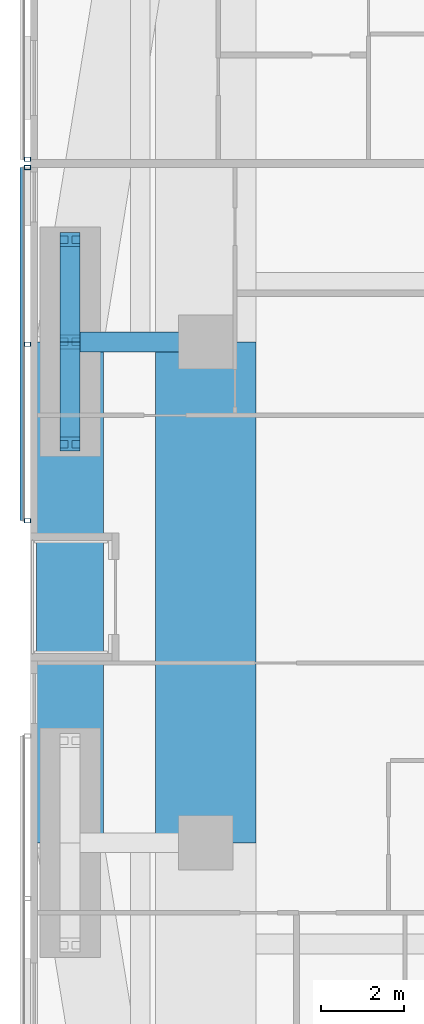
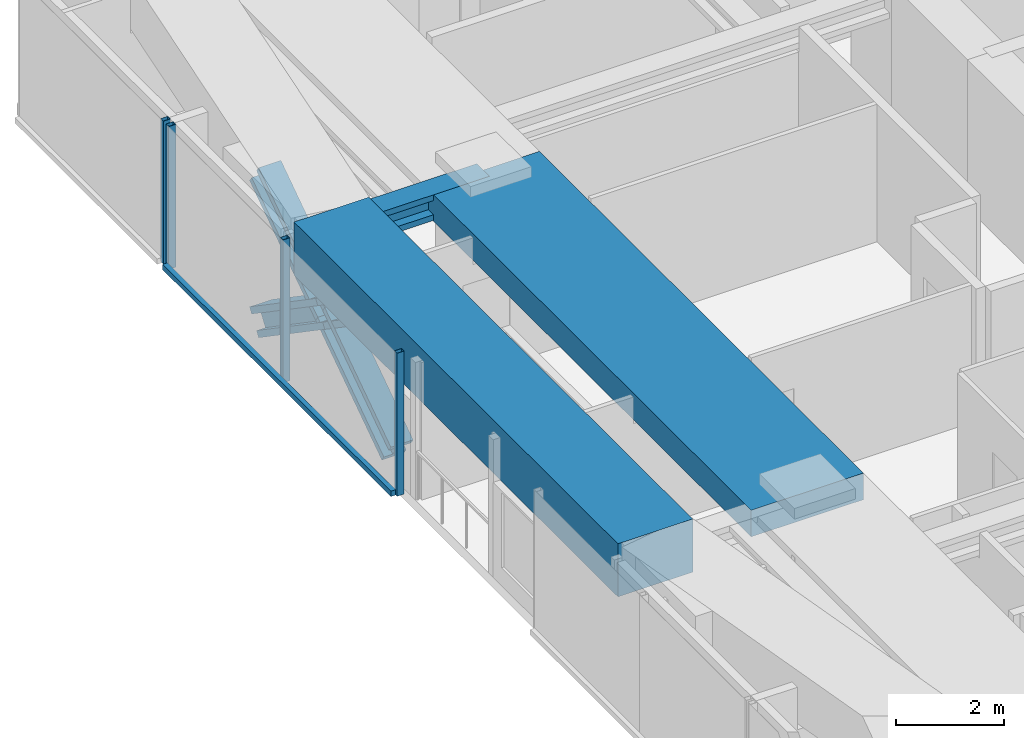
# One storey, part 6 of 23: 9 members, 3 beams, 2 elements without a shape of their own.
"""IFC4 building model written with IfcOpenShell, lengths in metres."""

from ifc_helpers import new_model, si_unit, direction, frame, origin, origin_2d, place, context, subcontext, project, spatial, rectangle, hollow_rectangle, i_section, extrude, material, material_profile, profile_set, type_object, element, aggregate, save


model = new_model("IFC4")

# Units and contexts
model_context = context("Model", 3, precision=1e-05, world=origin(), true_north=direction((0.0, 1.0)))
body_context = subcontext(model_context, "Body", "Model", "MODEL_VIEW")
ifc_project = project(units=[si_unit("LENGTHUNIT", "METRE"), si_unit("AREAUNIT", "SQUARE_METRE"), si_unit("VOLUMEUNIT", "CUBIC_METRE"), si_unit("PLANEANGLEUNIT", "RADIAN"), si_unit("MASSUNIT", "GRAM", prefix="KILO")], contexts=[model_context])

# Site, building, storey
site_placement = place(None, origin())
site = spatial("IfcSite", under=ifc_project, at=site_placement, CompositionType="ELEMENT")
building_placement = place(site_placement, origin())
building = spatial("IfcBuilding", under=site, at=building_placement, Name="Jalousie Tower", CompositionType="ELEMENT")
storey_placement = place(building_placement, frame((0.0, 0.0, 88.10009765625)))
storey = spatial("IfcBuildingStorey", under=building, at=storey_placement, Name="L23", CompositionType="ELEMENT", Elevation=88.10009765625)

# Beam
ifc_material_1 = material(Name="Steel ASTM A992 Grade 50", Category="steel")
ifc_material_profile_1 = material_profile(ifc_material_1, i_section(OverallWidth=0.472412109375, OverallDepth=0.5791015625, WebThickness=0.094970703125, FlangeThickness=0.1298828125, at=origin_2d()), Name="W14X808")
ifc_profile_set_1 = profile_set([ifc_material_profile_1], Name="Steel ASTM A992 Grade 50")
beam_type_1 = type_object("IfcBeamType", Name="LEAN COLLECTOR W14X808", PredefinedType="BEAM", material=ifc_profile_set_1)
beam_1_placement = place(storey_placement, frame((6.949951171875, 25.0, 2.8203125), z_axis=(1.0, 0.0, 0.0), x_axis=(0.0, 1.0, 0.0)))
element("IfcBeam", 1, at=beam_1_placement, inside=storey, type_object=beam_type_1, Name="Lean collector under L24", PredefinedType="BEAM", context=body_context, shape_type="SweptSolid", body=[
    extrude(i_section(OverallWidth=0.472412109375, OverallDepth=0.5791015625, WebThickness=0.094970703125, FlangeThickness=0.1298828125, at=origin_2d()), origin(), (0.0, 0.0, 1.0), 3.25),
])

# Members
ifc_material_2 = material(Name="Steel ASTM A992 Grade 50", Category="steel")
ifc_material_profile_2 = material_profile(ifc_material_2, i_section(OverallWidth=0.4775390625, OverallDepth=0.599365234375, WebThickness=0.10009765625, FlangeThickness=0.139892578125, at=origin_2d()), Name="W14X873")
ifc_profile_set_2 = profile_set([ifc_material_profile_2], Name="Steel ASTM A992 Grade 50")
member_type_1 = type_object("IfcMemberType", Name="PERIMETER BRACE W14X873", PredefinedType="BRACE", material=ifc_profile_set_2)
for number, where, z_axis, x_axis, name in (
    (2, (6.949951171875, 22.550048828125, -0.60009765625), (0.0, 0.825500916831, 0.564400776321), (-1.0, 0.0, 0.0), "Perimeter brace 13 L23 part 1"),
    (3, (6.949951171875, 25.0, 1.074951171875), (0.0, 0.825500916831, 0.564400776321), (-1.0, 0.0, 0.0), "Perimeter brace 13 L23 part 2"),
    (4, (6.949951171875, 27.449951171875, -0.60009765625), (0.0, -0.825500916831, 0.564400776321), (1.0, 0.0, 0.0), "Perimeter brace 13 L23 part 3"),
    (5, (6.949951171875, 25.0, 1.074951171875), (0.0, -0.825500916831, 0.564400776321), (1.0, 0.0, 0.0), "Perimeter brace 13 L23 part 4"),
):
    element("IfcMember", number, at=place(storey_placement, frame(where, z_axis=z_axis, x_axis=x_axis)), inside=storey, type_object=member_type_1, Name=name, PredefinedType="BRACE", context=body_context, shape_type="SweptSolid", body=[
        extrude(i_section(OverallWidth=0.4775390625, OverallDepth=0.599365234375, WebThickness=0.10009765625, FlangeThickness=0.139892578125, at=origin_2d()), origin(), (0.0, 0.0, 1.0), 2.9677734375),
    ])

# Beams
ifc_material_3 = material(Name="Concrete f'c 40 MPa", Category="concrete")
ifc_material_profile_3 = material_profile(ifc_material_3, rectangle(XDim=1.60009765625, YDim=1.199951171875, at=origin_2d()), Name="RC 1600x1200")
ifc_profile_set_3 = profile_set([ifc_material_profile_3], Name="Concrete f'c 40 MPa")
beam_type_2 = type_object("IfcBeamType", Name="RC BEAM 1600x1200", PredefinedType="BEAM", material=ifc_profile_set_3)
beam_2_placement = place(storey_placement, frame((6.949951171875, 25.0, 2.75), z_axis=(0.0, -1.0, 0.0), x_axis=(1.0, 0.0, 0.0)))
element("IfcBeam", 6, at=beam_2_placement, inside=storey, type_object=beam_type_2, Name="Edge band beam 13-14 under L24", PredefinedType="BEAM", context=body_context, shape_type="SweptSolid", body=[
    extrude(rectangle(XDim=1.60009765625, YDim=1.199951171875, at=origin_2d()), origin(), (0.0, 0.0, 1.0), 12.0),
])
ifc_material_4 = material(Name="Concrete f'c 40 MPa", Category="concrete")
ifc_material_profile_4 = material_profile(ifc_material_4, rectangle(XDim=2.39990234375, YDim=0.60009765625, at=origin_2d()), Name="RC 2400x600")
ifc_profile_set_4 = profile_set([ifc_material_profile_4], Name="Concrete f'c 40 MPa")
beam_type_3 = type_object("IfcBeamType", Name="RC BEAM 2400x600", PredefinedType="BEAM", material=ifc_profile_set_4)
beam_3_placement = place(storey_placement, frame((10.199951171875, 13.0, 2.809814453125), z_axis=(0.0, 1.0, 0.0), x_axis=(-1.0, 0.0, 0.0)))
element("IfcBeam", 7, at=beam_3_placement, inside=storey, type_object=beam_type_3, Name="Floor band beam under L24", PredefinedType="BEAM", context=body_context, shape_type="SweptSolid", body=[
    extrude(rectangle(XDim=2.39990234375, YDim=0.60009765625, at=origin_2d()), origin(), (0.0, 0.0, 1.0), 12.0),
])

# Curtain wall, member
ifc_material_5 = material(Name="Perforated aluminium sheet", Category="aluminium")
curtain_wall_type = type_object("IfcCurtainWallType", Name="SOLAR SCREEN SS-1", PredefinedType="USERDEFINED", material=ifc_material_5)
curtain_wall_1_placement = place(storey_placement, origin())
curtain_wall_1 = element("IfcCurtainWall", 8, at=curtain_wall_1_placement, inside=storey, type_object=curtain_wall_type, Name="Solar screen L23", ObjectType="SOLAR SCREEN SS-1", PredefinedType="USERDEFINED")
ifc_material_6 = material(Name="Steel ASTM A500 Grade C", Category="steel")
ifc_material_profile_5 = material_profile(ifc_material_6, hollow_rectangle(XDim=0.1015625, YDim=0.15234375, WallThickness=0.00634765625, at=origin_2d()), Name="HSS6X4X1/4")
ifc_profile_set_5 = profile_set([ifc_material_profile_5], Name="Steel ASTM A500 Grade C")
member_type_2 = type_object("IfcMemberType", Name="SOLAR SCREEN SS-1 MULLION", PredefinedType="MULLION", material=ifc_profile_set_5)
member_1_placement = place(storey_placement, frame((5.9287109375, 29.375, -0.1201171875), z_axis=(0.0, 0.0, 1.0), x_axis=(0.0, -1.0, 0.0)))
member_1 = element("IfcMember", 9, at=member_1_placement, type_object=member_type_2, Name="SS1 post 2", PredefinedType="MULLION", context=body_context, shape_type="SweptSolid", body=[
    extrude(hollow_rectangle(XDim=0.1015625, YDim=0.15234375, WallThickness=0.00634765625, at=origin_2d()), origin(), (0.0, 0.0, 1.0), 3.22998046875),
])
aggregate(curtain_wall_1, [member_1])

# Curtain wall, members
curtain_wall_2_placement = place(storey_placement, origin())
curtain_wall_2 = element("IfcCurtainWall", 10, at=curtain_wall_2_placement, inside=storey, type_object=curtain_wall_type, Name="Solar screen L23", ObjectType="SOLAR SCREEN SS-1", PredefinedType="USERDEFINED")
member_2_placement = place(storey_placement, frame((5.9287109375, 29.175048828125, -0.1201171875), z_axis=(0.0, 0.0, 1.0), x_axis=(0.0, -1.0, 0.0)))
member_2 = element("IfcMember", 11, at=member_2_placement, type_object=member_type_2, Name="SS1 post 1", PredefinedType="MULLION", context=body_context, shape_type="SweptSolid", body=[
    extrude(hollow_rectangle(XDim=0.1015625, YDim=0.15234375, WallThickness=0.00634765625, at=origin_2d()), origin(), (0.0, 0.0, 1.0), 3.22998046875),
])
member_3_placement = place(storey_placement, frame((5.9287109375, 24.94580078125, -0.1201171875), z_axis=(0.0, 0.0, 1.0), x_axis=(0.0, -1.0, 0.0)))
member_3 = element("IfcMember", 12, at=member_3_placement, type_object=member_type_2, Name="SS1 post 2", PredefinedType="MULLION", context=body_context, shape_type="SweptSolid", body=[
    extrude(hollow_rectangle(XDim=0.1015625, YDim=0.15234375, WallThickness=0.00634765625, at=origin_2d()), origin(), (0.0, 0.0, 1.0), 3.22998046875),
])
member_4_placement = place(storey_placement, frame((5.9287109375, 20.716796875, -0.1201171875), z_axis=(0.0, 0.0, 1.0), x_axis=(0.0, -1.0, 0.0)))
member_4 = element("IfcMember", 13, at=member_4_placement, type_object=member_type_2, Name="SS1 post 3", PredefinedType="MULLION", context=body_context, shape_type="SweptSolid", body=[
    extrude(hollow_rectangle(XDim=0.1015625, YDim=0.15234375, WallThickness=0.00634765625, at=origin_2d()), origin(), (0.0, 0.0, 1.0), 3.22998046875),
])
ifc_material_7 = material(Name="Extruded aluminium screen rail", Category="aluminium")
ifc_material_profile_6 = material_profile(ifc_material_7, rectangle(XDim=0.1015625, YDim=0.1201171875, at=origin_2d()), Name="RAIL 102x120")
ifc_profile_set_6 = profile_set([ifc_material_profile_6], Name="Extruded aluminium screen rail")
member_type_3 = type_object("IfcMemberType", Name="SOLAR SCREEN SS-1 TRANSOM", PredefinedType="USERDEFINED", material=ifc_profile_set_6)
member_5_placement = place(storey_placement, frame((5.8017578125, 29.175048828125, -0.06005859375), z_axis=(0.0, -1.0, 0.0), x_axis=(1.0, 0.0, 0.0)))
member_5 = element("IfcMember", 14, at=member_5_placement, type_object=member_type_3, Name="SS1 rail", ObjectType="TRANSOM", PredefinedType="USERDEFINED", context=body_context, shape_type="SweptSolid", body=[
    extrude(rectangle(XDim=0.1015625, YDim=0.1201171875, at=origin_2d()), origin(), (0.0, 0.0, 1.0), 8.458251953125),
])
aggregate(curtain_wall_2, [member_2, member_3, member_4, member_5])

save(model, "model.ifc")
